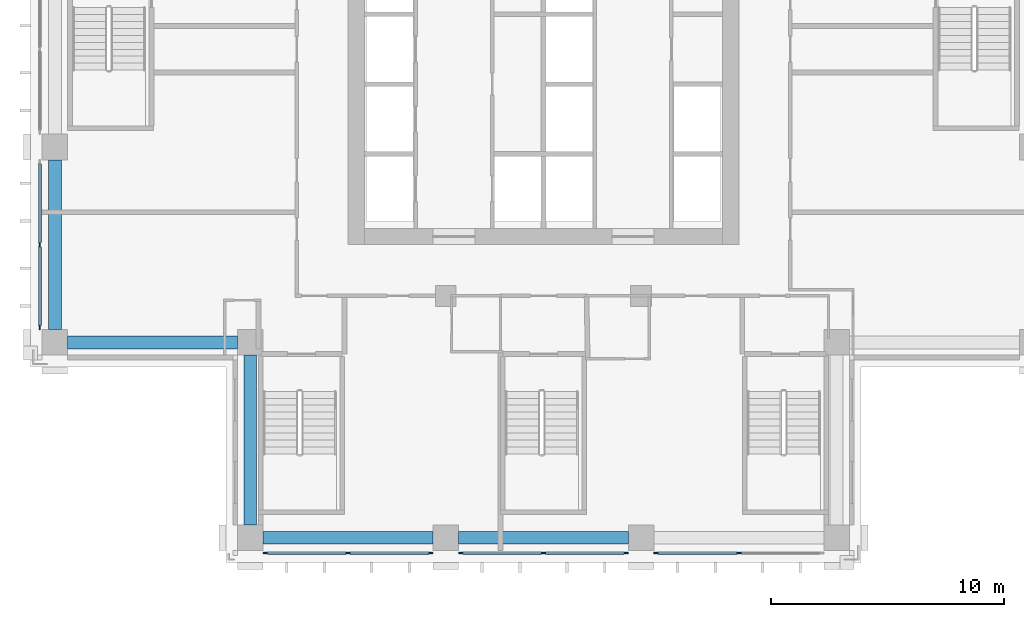
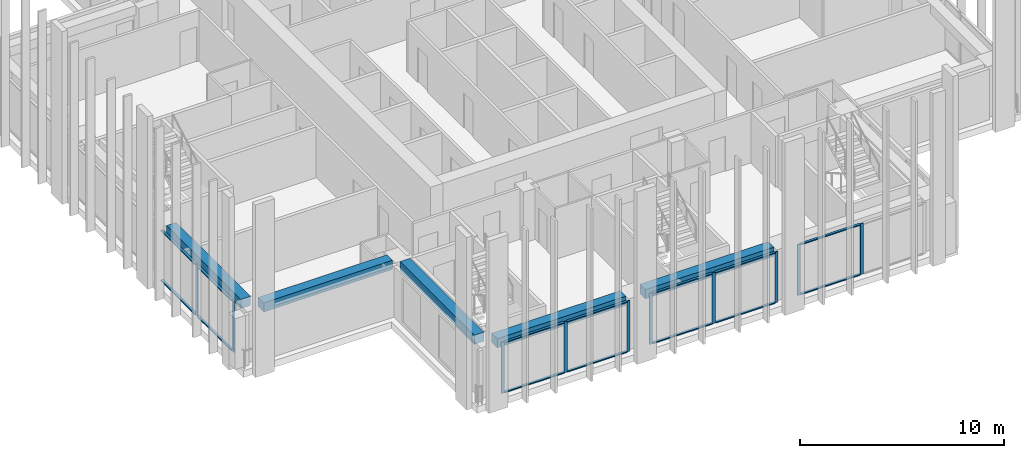
# One storey, part 2 of 16: 24 members, 5 beams, 4 elements without a shape of their own.
"""IFC4 building model written with IfcOpenShell, lengths in metres."""

from ifc_helpers import new_model, si_unit, direction, frame, origin, origin_2d, place, context, subcontext, project, spatial, rectangle, extrude, material, material_profile, profile_set, type_object, element, aggregate, save


model = new_model("IFC4")

# Units and contexts
model_context = context("Model", 3, precision=1e-05, world=origin(), true_north=direction((0.0, 1.0)))
body_context = subcontext(model_context, "Body", "Model", "MODEL_VIEW")
ifc_project = project(units=[si_unit("LENGTHUNIT", "METRE"), si_unit("AREAUNIT", "SQUARE_METRE"), si_unit("VOLUMEUNIT", "CUBIC_METRE"), si_unit("PLANEANGLEUNIT", "RADIAN"), si_unit("MASSUNIT", "GRAM", prefix="KILO")], contexts=[model_context])

# Site, building, storey
site_placement = place(None, origin())
site = spatial("IfcSite", under=ifc_project, at=site_placement, CompositionType="ELEMENT")
building_placement = place(site_placement, origin())
building = spatial("IfcBuilding", under=site, at=building_placement, Name="Vermilion Ogive Tower", CompositionType="ELEMENT")
storey_placement = place(building_placement, frame((0.0, 0.0, 133.10009765625)))
storey = spatial("IfcBuildingStorey", under=building, at=storey_placement, Name="L33", CompositionType="ELEMENT", Elevation=133.10009765625)

# Curtain wall, members
ifc_material_1 = material(Name="Low-iron laminated glazing in aluminium frame", Category="aluminium")
curtain_wall_type = type_object("IfcCurtainWallType", Name="Curtain wall CW7", PredefinedType="NOTDEFINED", material=ifc_material_1)
curtain_wall_1_placement = place(storey_placement, origin())
curtain_wall_1 = element("IfcCurtainWall", 1, at=curtain_wall_1_placement, inside=storey, type_object=curtain_wall_type, Name="Glazed skin S1", PredefinedType="NOTDEFINED")
ifc_material_2 = material(Name="Aluminium mullion", Category="aluminium")
ifc_material_profile_1 = material_profile(ifc_material_2, rectangle(XDim=0.06005859375, YDim=0.179931640625, at=origin_2d()), Name="AL 60x180")
ifc_profile_set_1 = profile_set([ifc_material_profile_1], Name="Aluminium mullion")
member_type_1 = type_object("IfcMemberType", Name="CW7 mullion 60x180", PredefinedType="MULLION", material=ifc_profile_set_1)
member_1_placement = place(storey_placement, frame((-11.9599609375, -21.64990234375, 0.0), z_axis=(0.0, 0.0, 1.0), x_axis=(0.0, 1.0, 0.0)))
member_1 = element("IfcMember", 2, at=member_1_placement, type_object=member_type_1, Name="CW7-S1 mullion 1", PredefinedType="MULLION", context=body_context, shape_type="SweptSolid", body=[
    extrude(rectangle(XDim=0.06005859375, YDim=0.179931640625, at=origin_2d()), origin(), (0.0, 0.0, 1.0), 3.0498046875),
])
member_2_placement = place(storey_placement, frame((-8.39990234375, -21.64990234375, 0.0), z_axis=(0.0, 0.0, 1.0), x_axis=(0.0, 1.0, 0.0)))
member_2 = element("IfcMember", 3, at=member_2_placement, type_object=member_type_1, Name="CW7-S1 mullion 2", PredefinedType="MULLION", context=body_context, shape_type="SweptSolid", body=[
    extrude(rectangle(XDim=0.06005859375, YDim=0.179931640625, at=origin_2d()), origin(), (0.0, 0.0, 1.0), 3.0498046875),
])
member_3_placement = place(storey_placement, frame((-4.840087890625, -21.64990234375, 0.0), z_axis=(0.0, 0.0, 1.0), x_axis=(0.0, 1.0, 0.0)))
member_3 = element("IfcMember", 4, at=member_3_placement, type_object=member_type_1, Name="CW7-S1 mullion 3", PredefinedType="MULLION", context=body_context, shape_type="SweptSolid", body=[
    extrude(rectangle(XDim=0.06005859375, YDim=0.179931640625, at=origin_2d()), origin(), (0.0, 0.0, 1.0), 3.0498046875),
])

curtain_wall_2_placement = place(storey_placement, origin())
curtain_wall_2 = element("IfcCurtainWall", 5, at=curtain_wall_2_placement, inside=storey, type_object=curtain_wall_type, Name="Glazed skin S2", PredefinedType="NOTDEFINED")
member_4_placement = place(storey_placement, frame((-3.56005859375, -21.64990234375, 0.0), z_axis=(0.0, 0.0, 1.0), x_axis=(0.0, 1.0, 0.0)))
member_4 = element("IfcMember", 6, at=member_4_placement, type_object=member_type_1, Name="CW7-S2 mullion 1", PredefinedType="MULLION", context=body_context, shape_type="SweptSolid", body=[
    extrude(rectangle(XDim=0.06005859375, YDim=0.179931640625, at=origin_2d()), origin(), (0.0, 0.0, 1.0), 3.0498046875),
])
member_5_placement = place(storey_placement, frame((0.0, -21.64990234375, 0.0), z_axis=(0.0, 0.0, 1.0), x_axis=(0.0, 1.0, 0.0)))
member_5 = element("IfcMember", 7, at=member_5_placement, type_object=member_type_1, Name="CW7-S2 mullion 2", PredefinedType="MULLION", context=body_context, shape_type="SweptSolid", body=[
    extrude(rectangle(XDim=0.06005859375, YDim=0.179931640625, at=origin_2d()), origin(), (0.0, 0.0, 1.0), 3.0498046875),
])
member_6_placement = place(storey_placement, frame((3.56005859375, -21.64990234375, 0.0), z_axis=(0.0, 0.0, 1.0), x_axis=(0.0, 1.0, 0.0)))
member_6 = element("IfcMember", 8, at=member_6_placement, type_object=member_type_1, Name="CW7-S2 mullion 3", PredefinedType="MULLION", context=body_context, shape_type="SweptSolid", body=[
    extrude(rectangle(XDim=0.06005859375, YDim=0.179931640625, at=origin_2d()), origin(), (0.0, 0.0, 1.0), 3.0498046875),
])

curtain_wall_3_placement = place(storey_placement, origin())
curtain_wall_3 = element("IfcCurtainWall", 9, at=curtain_wall_3_placement, inside=storey, type_object=curtain_wall_type, Name="Glazed skin S3", PredefinedType="NOTDEFINED")
member_7_placement = place(storey_placement, frame((4.840087890625, -21.64990234375, 0.0), z_axis=(0.0, 0.0, 1.0), x_axis=(0.0, 1.0, 0.0)))
member_7 = element("IfcMember", 10, at=member_7_placement, type_object=member_type_1, Name="CW7-S3 mullion 1", PredefinedType="MULLION", context=body_context, shape_type="SweptSolid", body=[
    extrude(rectangle(XDim=0.06005859375, YDim=0.179931640625, at=origin_2d()), origin(), (0.0, 0.0, 1.0), 3.0498046875),
])
member_8_placement = place(storey_placement, frame((8.39990234375, -21.64990234375, 0.0), z_axis=(0.0, 0.0, 1.0), x_axis=(0.0, 1.0, 0.0)))
member_8 = element("IfcMember", 11, at=member_8_placement, type_object=member_type_1, Name="CW7-S3 mullion 2", PredefinedType="MULLION", context=body_context, shape_type="SweptSolid", body=[
    extrude(rectangle(XDim=0.06005859375, YDim=0.179931640625, at=origin_2d()), origin(), (0.0, 0.0, 1.0), 3.0498046875),
])

curtain_wall_4_placement = place(storey_placement, origin())
curtain_wall_4 = element("IfcCurtainWall", 12, at=curtain_wall_4_placement, inside=storey, type_object=curtain_wall_type, Name="Glazed skin W3", PredefinedType="NOTDEFINED")
member_9_placement = place(storey_placement, frame((-21.64990234375, -8.39990234375, 0.0), z_axis=(0.0, 0.0, 1.0), x_axis=(1.0, 0.0, 0.0)))
member_9 = element("IfcMember", 13, at=member_9_placement, type_object=member_type_1, Name="CW7-W3 mullion 2", PredefinedType="MULLION", context=body_context, shape_type="SweptSolid", body=[
    extrude(rectangle(XDim=0.06005859375, YDim=0.179931640625, at=origin_2d()), origin(), (0.0, 0.0, 1.0), 3.0498046875),
])
member_10_placement = place(storey_placement, frame((-21.64990234375, -11.9599609375, 0.0), z_axis=(0.0, 0.0, 1.0), x_axis=(1.0, 0.0, 0.0)))
member_10 = element("IfcMember", 14, at=member_10_placement, type_object=member_type_1, Name="CW7-W3 mullion 3", PredefinedType="MULLION", context=body_context, shape_type="SweptSolid", body=[
    extrude(rectangle(XDim=0.06005859375, YDim=0.179931640625, at=origin_2d()), origin(), (0.0, 0.0, 1.0), 3.0498046875),
])

# Member
ifc_material_3 = material(Name="Aluminium transom", Category="aluminium")
ifc_material_profile_2 = material_profile(ifc_material_3, rectangle(XDim=0.139892578125, YDim=0.06005859375, at=origin_2d()), Name="AL 60x140")
ifc_profile_set_2 = profile_set([ifc_material_profile_2], Name="Aluminium transom")
member_type_2 = type_object("IfcMemberType", Name="CW7 transom 60x140", PredefinedType="USERDEFINED", material=ifc_profile_set_2)
member_11_placement = place(storey_placement, frame((-11.8701171875, -21.64990234375, 0.02978515625), z_axis=(1.0, 0.0, 0.0), x_axis=(0.0, 1.0, 0.0)))
member_11 = element("IfcMember", 15, at=member_11_placement, type_object=member_type_2, Name="CW7-S1 transom 1.1", ObjectType="TRANSOM", PredefinedType="USERDEFINED", context=body_context, shape_type="SweptSolid", body=[
    extrude(rectangle(XDim=0.139892578125, YDim=0.06005859375, at=origin_2d()), origin(), (0.0, 0.0, 1.0), 3.380126953125),
])

member_12_placement = place(storey_placement, frame((-11.8701171875, -21.64990234375, 3.02001953125), z_axis=(1.0, 0.0, 0.0), x_axis=(0.0, 1.0, 0.0)))
member_12 = element("IfcMember", 16, at=member_12_placement, type_object=member_type_2, Name="CW7-S1 transom 1.2", ObjectType="TRANSOM", PredefinedType="USERDEFINED", context=body_context, shape_type="SweptSolid", body=[
    extrude(rectangle(XDim=0.139892578125, YDim=0.06005859375, at=origin_2d()), origin(), (0.0, 0.0, 1.0), 3.380126953125),
])

member_13_placement = place(storey_placement, frame((-8.31005859375, -21.64990234375, 0.02978515625), z_axis=(1.0, 0.0, 0.0), x_axis=(0.0, 1.0, 0.0)))
member_13 = element("IfcMember", 17, at=member_13_placement, type_object=member_type_2, Name="CW7-S1 transom 2.1", ObjectType="TRANSOM", PredefinedType="USERDEFINED", context=body_context, shape_type="SweptSolid", body=[
    extrude(rectangle(XDim=0.139892578125, YDim=0.06005859375, at=origin_2d()), origin(), (0.0, 0.0, 1.0), 3.380126953125),
])

member_14_placement = place(storey_placement, frame((-8.31005859375, -21.64990234375, 3.02001953125), z_axis=(1.0, 0.0, 0.0), x_axis=(0.0, 1.0, 0.0)))
member_14 = element("IfcMember", 18, at=member_14_placement, type_object=member_type_2, Name="CW7-S1 transom 2.2", ObjectType="TRANSOM", PredefinedType="USERDEFINED", context=body_context, shape_type="SweptSolid", body=[
    extrude(rectangle(XDim=0.139892578125, YDim=0.06005859375, at=origin_2d()), origin(), (0.0, 0.0, 1.0), 3.380126953125),
])

aggregate(curtain_wall_1, [member_1, member_2, member_3, member_11, member_12, member_13, member_14])

member_15_placement = place(storey_placement, frame((-3.469970703125, -21.64990234375, 0.02978515625), z_axis=(1.0, 0.0, 0.0), x_axis=(0.0, 1.0, 0.0)))
member_15 = element("IfcMember", 19, at=member_15_placement, type_object=member_type_2, Name="CW7-S2 transom 1.1", ObjectType="TRANSOM", PredefinedType="USERDEFINED", context=body_context, shape_type="SweptSolid", body=[
    extrude(rectangle(XDim=0.139892578125, YDim=0.06005859375, at=origin_2d()), origin(), (0.0, 0.0, 1.0), 3.3798828125),
])

member_16_placement = place(storey_placement, frame((-3.469970703125, -21.64990234375, 3.02001953125), z_axis=(1.0, 0.0, 0.0), x_axis=(0.0, 1.0, 0.0)))
member_16 = element("IfcMember", 20, at=member_16_placement, type_object=member_type_2, Name="CW7-S2 transom 1.2", ObjectType="TRANSOM", PredefinedType="USERDEFINED", context=body_context, shape_type="SweptSolid", body=[
    extrude(rectangle(XDim=0.139892578125, YDim=0.06005859375, at=origin_2d()), origin(), (0.0, 0.0, 1.0), 3.3798828125),
])

member_17_placement = place(storey_placement, frame((0.090087890625, -21.64990234375, 0.02978515625), z_axis=(1.0, 0.0, 0.0), x_axis=(0.0, 1.0, 0.0)))
member_17 = element("IfcMember", 21, at=member_17_placement, type_object=member_type_2, Name="CW7-S2 transom 2.1", ObjectType="TRANSOM", PredefinedType="USERDEFINED", context=body_context, shape_type="SweptSolid", body=[
    extrude(rectangle(XDim=0.139892578125, YDim=0.06005859375, at=origin_2d()), origin(), (0.0, 0.0, 1.0), 3.3798828125),
])

member_18_placement = place(storey_placement, frame((0.090087890625, -21.64990234375, 3.02001953125), z_axis=(1.0, 0.0, 0.0), x_axis=(0.0, 1.0, 0.0)))
member_18 = element("IfcMember", 22, at=member_18_placement, type_object=member_type_2, Name="CW7-S2 transom 2.2", ObjectType="TRANSOM", PredefinedType="USERDEFINED", context=body_context, shape_type="SweptSolid", body=[
    extrude(rectangle(XDim=0.139892578125, YDim=0.06005859375, at=origin_2d()), origin(), (0.0, 0.0, 1.0), 3.3798828125),
])

aggregate(curtain_wall_2, [member_4, member_5, member_6, member_15, member_16, member_17, member_18])

member_19_placement = place(storey_placement, frame((4.929931640625, -21.64990234375, 0.02978515625), z_axis=(1.0, 0.0, 0.0), x_axis=(0.0, 1.0, 0.0)))
member_19 = element("IfcMember", 23, at=member_19_placement, type_object=member_type_2, Name="CW7-S3 transom 1.1", ObjectType="TRANSOM", PredefinedType="USERDEFINED", context=body_context, shape_type="SweptSolid", body=[
    extrude(rectangle(XDim=0.139892578125, YDim=0.06005859375, at=origin_2d()), origin(), (0.0, 0.0, 1.0), 3.380126953125),
])

member_20_placement = place(storey_placement, frame((4.929931640625, -21.64990234375, 3.02001953125), z_axis=(1.0, 0.0, 0.0), x_axis=(0.0, 1.0, 0.0)))
member_20 = element("IfcMember", 24, at=member_20_placement, type_object=member_type_2, Name="CW7-S3 transom 1.2", ObjectType="TRANSOM", PredefinedType="USERDEFINED", context=body_context, shape_type="SweptSolid", body=[
    extrude(rectangle(XDim=0.139892578125, YDim=0.06005859375, at=origin_2d()), origin(), (0.0, 0.0, 1.0), 3.380126953125),
])

aggregate(curtain_wall_3, [member_7, member_8, member_19, member_20])

member_21_placement = place(storey_placement, frame((-21.64990234375, -4.929931640625, 0.02978515625), z_axis=(0.0, -1.0, 0.0), x_axis=(1.0, 0.0, 0.0)))
member_21 = element("IfcMember", 25, at=member_21_placement, type_object=member_type_2, Name="CW7-W3 transom 1.1", ObjectType="TRANSOM", PredefinedType="USERDEFINED", context=body_context, shape_type="SweptSolid", body=[
    extrude(rectangle(XDim=0.139892578125, YDim=0.06005859375, at=origin_2d()), origin(), (0.0, 0.0, 1.0), 3.380126953125),
])

member_22_placement = place(storey_placement, frame((-21.64990234375, -4.929931640625, 3.02001953125), z_axis=(0.0, -1.0, 0.0), x_axis=(1.0, 0.0, 0.0)))
member_22 = element("IfcMember", 26, at=member_22_placement, type_object=member_type_2, Name="CW7-W3 transom 1.2", ObjectType="TRANSOM", PredefinedType="USERDEFINED", context=body_context, shape_type="SweptSolid", body=[
    extrude(rectangle(XDim=0.139892578125, YDim=0.06005859375, at=origin_2d()), origin(), (0.0, 0.0, 1.0), 3.380126953125),
])

member_23_placement = place(storey_placement, frame((-21.64990234375, -8.489990234375, 0.02978515625), z_axis=(0.0, -1.0, 0.0), x_axis=(1.0, 0.0, 0.0)))
member_23 = element("IfcMember", 27, at=member_23_placement, type_object=member_type_2, Name="CW7-W3 transom 2.1", ObjectType="TRANSOM", PredefinedType="USERDEFINED", context=body_context, shape_type="SweptSolid", body=[
    extrude(rectangle(XDim=0.139892578125, YDim=0.06005859375, at=origin_2d()), origin(), (0.0, 0.0, 1.0), 3.380126953125),
])

member_24_placement = place(storey_placement, frame((-21.64990234375, -8.489990234375, 3.02001953125), z_axis=(0.0, -1.0, 0.0), x_axis=(1.0, 0.0, 0.0)))
member_24 = element("IfcMember", 28, at=member_24_placement, type_object=member_type_2, Name="CW7-W3 transom 2.2", ObjectType="TRANSOM", PredefinedType="USERDEFINED", context=body_context, shape_type="SweptSolid", body=[
    extrude(rectangle(XDim=0.139892578125, YDim=0.06005859375, at=origin_2d()), origin(), (0.0, 0.0, 1.0), 3.380126953125),
])

aggregate(curtain_wall_4, [member_9, member_10, member_21, member_22, member_23, member_24])

# Beams
ifc_material_4 = material(Name="Concrete B45", Category="concrete")
ifc_material_profile_3 = material_profile(ifc_material_4, rectangle(XDim=0.550048828125, YDim=0.550048828125, at=origin_2d()), Name="550 x 550")
ifc_profile_set_3 = profile_set([ifc_material_profile_3], Name="Concrete B45")
beam_type = type_object("IfcBeamType", Name="Edge beam 550 x 550 B45", PredefinedType="BEAM", material=ifc_profile_set_3)
beam_1_placement = place(storey_placement, frame((-12.050048828125, -21.0, 2.77490234375), z_axis=(1.0, 0.0, 0.0), x_axis=(0.0, 1.0, 0.0)))
element("IfcBeam", 29, at=beam_1_placement, inside=storey, type_object=beam_type, Name="L33-EB-1", PredefinedType="BEAM", context=body_context, shape_type="SweptSolid", body=[
    extrude(rectangle(XDim=0.550048828125, YDim=0.550048828125, at=origin_2d()), origin(), (0.0, 0.0, 1.0), 7.300048828125),
])
beam_2_placement = place(storey_placement, frame((-3.64990234375, -21.0, 2.77490234375), z_axis=(1.0, 0.0, 0.0), x_axis=(0.0, 1.0, 0.0)))
element("IfcBeam", 30, at=beam_2_placement, inside=storey, type_object=beam_type, Name="L33-EB-2", PredefinedType="BEAM", context=body_context, shape_type="SweptSolid", body=[
    extrude(rectangle(XDim=0.550048828125, YDim=0.550048828125, at=origin_2d()), origin(), (0.0, 0.0, 1.0), 7.2998046875),
])
for number, where, z_axis, x_axis, name in (
    (31, (-21.0, -4.75, 2.77490234375), (0.0, -1.0, 0.0), (1.0, 0.0, 0.0), "L33-EB-15"),
    (32, (-20.449951171875, -12.60009765625, 2.77490234375), (1.0, 0.0, 0.0), (0.0, 1.0, 0.0), "L33-EB-16"),
    (33, (-12.60009765625, -13.14990234375, 2.77490234375), (0.0, -1.0, 0.0), (1.0, 0.0, 0.0), "L33-EB-17"),
):
    element("IfcBeam", number, at=place(storey_placement, frame(where, z_axis=z_axis, x_axis=x_axis)), inside=storey, type_object=beam_type, Name=name, PredefinedType="BEAM", context=body_context, shape_type="SweptSolid", body=[
        extrude(rectangle(XDim=0.550048828125, YDim=0.550048828125, at=origin_2d()), origin(), (0.0, 0.0, 1.0), 7.300048828125),
    ])

save(model, "model.ifc")
